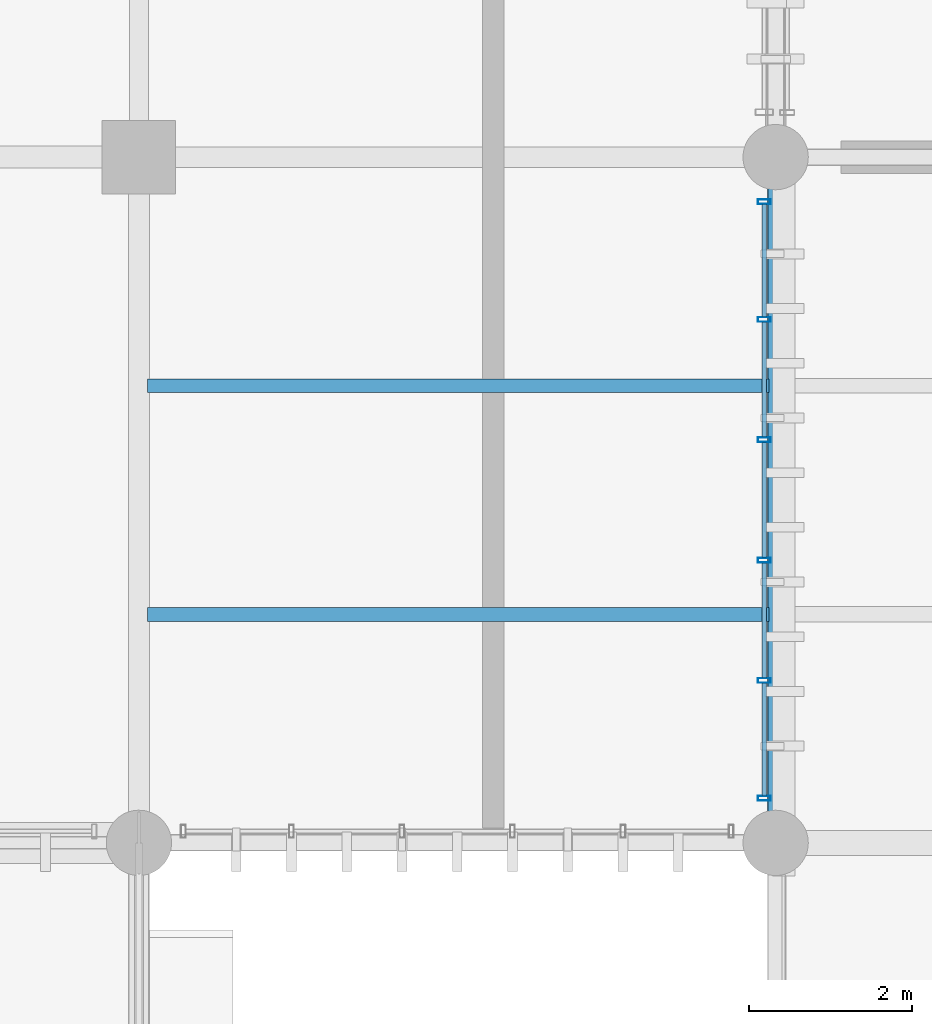
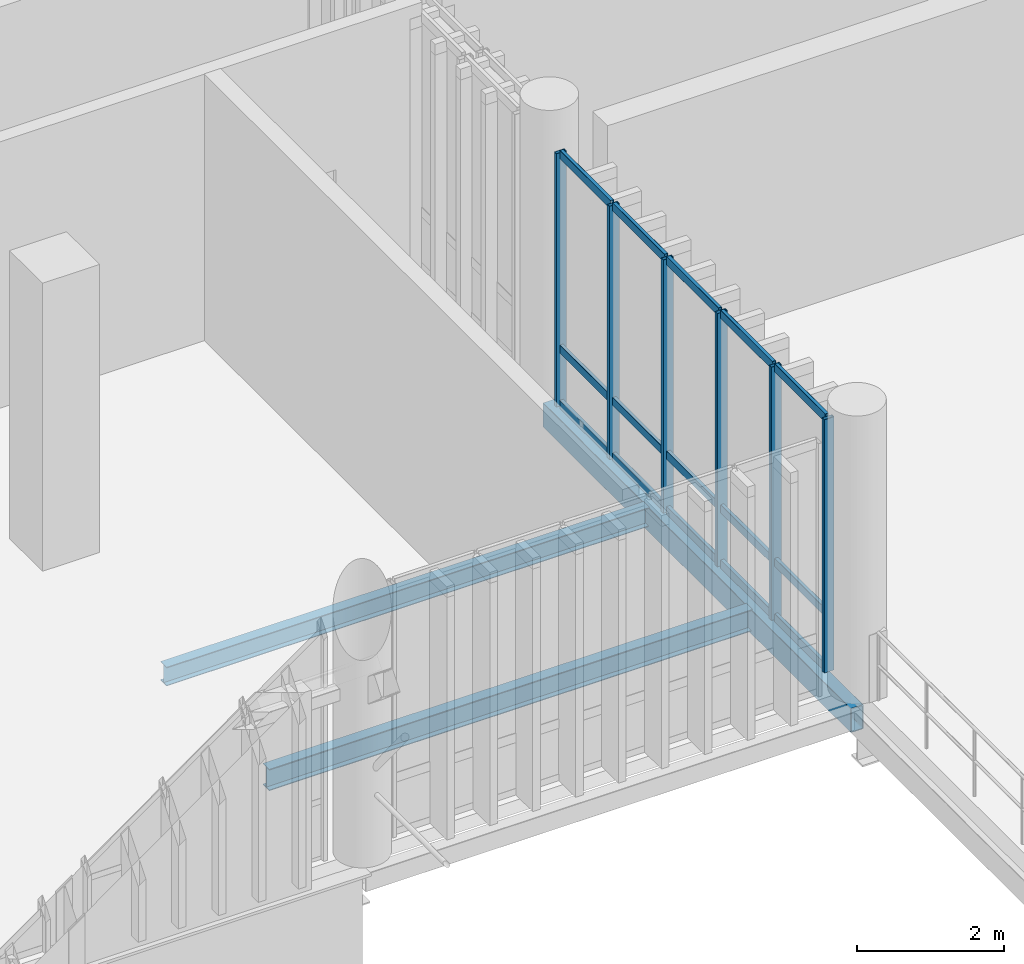
# One storey, part 24 of 109: 21 members, 3 beams, 1 element without a shape of its own.
"""IFC4 building model written with IfcOpenShell, lengths in metres."""

from ifc_helpers import new_model, si_unit, direction, frame, origin_with_axes, origin_2d_with_axis, place, context, subcontext, project, spatial, hollow_rectangle, i_section, extrude, material, material_profile, profile_set, type_object, element, aggregate, save


model = new_model("IFC4")

# Units and contexts
model_context = context("Model", 3, precision=1e-05, world=origin_with_axes(), true_north=direction((0.0, 1.0)))
body_context = subcontext(model_context, "Body", "Model", "MODEL_VIEW")
ifc_project = project(units=[si_unit("LENGTHUNIT", "METRE"), si_unit("AREAUNIT", "SQUARE_METRE"), si_unit("VOLUMEUNIT", "CUBIC_METRE"), si_unit("PLANEANGLEUNIT", "RADIAN"), si_unit("MASSUNIT", "GRAM", prefix="KILO"), si_unit("THERMODYNAMICTEMPERATUREUNIT", "KELVIN")], contexts=[model_context])

# Site, building, storey
site_placement = place(None, origin_with_axes())
site = spatial("IfcSite", under=ifc_project, at=site_placement, CompositionType="ELEMENT")
building_placement = place(site_placement, origin_with_axes())
building = spatial("IfcBuilding", under=site, at=building_placement, Name="Montbau Bow Law Courts", CompositionType="ELEMENT")
storey_placement = place(building_placement, frame((0.0, 0.0, 10.8), z_axis=(0.0, 0.0, 1.0), x_axis=(1.0, 0.0, 0.0)))
storey = spatial("IfcBuildingStorey", under=building, at=storey_placement, Name="L02", CompositionType="ELEMENT", Elevation=10.8)

# Beams
ifc_material_1 = material(Name="Steel CSA G40.21 Grade 350W (350 MPa)", Category="steel")
ifc_material_profile_1 = material_profile(ifc_material_1, i_section(OverallWidth=0.172, OverallDepth=0.358, WebThickness=0.0079, FlangeThickness=0.0131, at=origin_2d_with_axis()), Name="W360X57", Category="Main", Priority=0)
ifc_profile_set_1 = profile_set([ifc_material_profile_1], Name="Steel CSA G40.21 Grade 350W (350 MPa)")
beam_type_1 = type_object("IfcBeamType", Name="B-JST-03", PredefinedType="JOIST", material=ifc_profile_set_1)
beam_1_placement = place(None, frame((39.103, 33.4, 10.301), z_axis=(1.0, 0.0, 0.0), x_axis=(0.0, 1.0, 0.0)))
element("IfcBeam", 1, at=beam_1_placement, inside=storey, type_object=beam_type_1, Name="JST-L02-S0278:jst2_0278", PredefinedType="JOIST", context=body_context, shape_type="SweptSolid", body=[
    extrude(i_section(OverallWidth=0.172, OverallDepth=0.358, WebThickness=0.0079, FlangeThickness=0.0131, at=origin_2d_with_axis()), origin_with_axes(), (0.0, 0.0, 1.0), 7.617),
])
ifc_material_profile_2 = material_profile(ifc_material_1, i_section(OverallWidth=0.166, OverallDepth=0.313, WebThickness=0.0066, FlangeThickness=0.0112, at=origin_2d_with_axis()), Name="W310X45", Category="Main", Priority=0)
ifc_profile_set_2 = profile_set([ifc_material_profile_2], Name="Steel CSA G40.21 Grade 350W (350 MPa)")
beam_type_2 = type_object("IfcBeamType", Name="B-JST-04", PredefinedType="JOIST", material=ifc_profile_set_2)
beam_2_placement = place(None, frame((39.103, 36.2, 10.324), z_axis=(1.0, 0.0, 0.0), x_axis=(0.0, 1.0, 0.0)))
element("IfcBeam", 2, at=beam_2_placement, inside=storey, type_object=beam_type_2, Name="JST-L02-S0279:jst2_0279", PredefinedType="JOIST", context=body_context, shape_type="SweptSolid", body=[
    extrude(i_section(OverallWidth=0.166, OverallDepth=0.313, WebThickness=0.0066, FlangeThickness=0.0112, at=origin_2d_with_axis()), origin_with_axes(), (0.0, 0.0, 1.0), 7.617),
])
ifc_material_2 = material(Name="Steel CSA G40.21 Grade 350WT (350 MPa)", Category="steel")
ifc_material_profile_3 = material_profile(ifc_material_2, hollow_rectangle(XDim=0.203, YDim=0.406, WallThickness=0.0127, InnerFilletRadius=0.0254, OuterFilletRadius=0.0127, at=origin_2d_with_axis()), Name="HSS406X203X13", Category="Main", Priority=0)
ifc_profile_set_3 = profile_set([ifc_material_profile_3], Name="Steel CSA G40.21 Grade 350WT (350 MPa)")
beam_type_3 = type_object("IfcBeamType", Name="B-SPN-01", PredefinedType="SPANDREL", material=ifc_profile_set_3)
beam_3_placement = place(None, frame((46.8, 30.6, 10.277), z_axis=(0.0, 1.0, 0.0), x_axis=(-1.0, 0.0, 0.0)))
element("IfcBeam", 3, at=beam_3_placement, inside=storey, type_object=beam_type_3, Name="SPN-L02-S0473:bm2_0476", PredefinedType="SPANDREL", context=body_context, shape_type="SweptSolid", body=[
    extrude(hollow_rectangle(XDim=0.203, YDim=0.406, WallThickness=0.0127, InnerFilletRadius=0.0254, OuterFilletRadius=0.0127, at=origin_2d_with_axis()), origin_with_axes(), (0.0, 0.0, 1.0), 8.4),
])

# Curtain wall, members
ifc_material_3 = material(Name="Thermally Broken Extruded Aluminium AA 6063-T6", Category="aluminium")
curtain_wall_type = type_object("IfcCurtainWallType", Name="CW-TRC-01", PredefinedType="NOTDEFINED", material=ifc_material_3)
curtain_wall_placement = place(None, frame((46.66, 31.115, 10.8), z_axis=(0.0, 0.0, 1.0), x_axis=(1.0, 0.0, 0.0)))
curtain_wall = element("IfcCurtainWall", 4, at=curtain_wall_placement, inside=storey, type_object=curtain_wall_type, Name="CW-L02-047:cw_0047", PredefinedType="NOTDEFINED")
ifc_material_profile_4 = material_profile(ifc_material_3, hollow_rectangle(XDim=0.06, YDim=0.16, WallThickness=0.004, InnerFilletRadius=0.008, OuterFilletRadius=0.004, at=origin_2d_with_axis()), Name="CWM-160X60", Category="Main", Priority=0)
ifc_profile_set_4 = profile_set([ifc_material_profile_4], Name="Thermally Broken Extruded Aluminium AA 6063-T6")
member_type_1 = type_object("IfcMemberType", Name="M-MUL-03", PredefinedType="MULLION", material=ifc_profile_set_4)
member_1_placement = place(None, frame((46.66, 31.145, 10.8), z_axis=(0.0, 0.0, 1.0), x_axis=(0.0, 1.0, 0.0)))
member_1 = element("IfcMember", 5, at=member_1_placement, type_object=member_type_1, Name="CW-L02-047-M01:cw_0047_M01", PredefinedType="MULLION", context=body_context, shape_type="SweptSolid", body=[
    extrude(hollow_rectangle(XDim=0.06, YDim=0.16, WallThickness=0.004, InnerFilletRadius=0.008, OuterFilletRadius=0.004, at=origin_2d_with_axis()), origin_with_axes(), (0.0, 0.0, 1.0), 4.22),
])
member_2_placement = place(None, frame((46.66, 32.589, 10.8), z_axis=(0.0, 0.0, 1.0), x_axis=(0.0, 1.0, 0.0)))
member_2 = element("IfcMember", 6, at=member_2_placement, type_object=member_type_1, Name="CW-L02-047-M02:cw_0047_M02", PredefinedType="MULLION", context=body_context, shape_type="SweptSolid", body=[
    extrude(hollow_rectangle(XDim=0.06, YDim=0.16, WallThickness=0.004, InnerFilletRadius=0.008, OuterFilletRadius=0.004, at=origin_2d_with_axis()), origin_with_axes(), (0.0, 0.0, 1.0), 4.22),
])
member_3_placement = place(None, frame((46.66, 34.063, 10.8), z_axis=(0.0, 0.0, 1.0), x_axis=(0.0, 1.0, 0.0)))
member_3 = element("IfcMember", 7, at=member_3_placement, type_object=member_type_1, Name="CW-L02-047-M03:cw_0047_M03", PredefinedType="MULLION", context=body_context, shape_type="SweptSolid", body=[
    extrude(hollow_rectangle(XDim=0.06, YDim=0.16, WallThickness=0.004, InnerFilletRadius=0.008, OuterFilletRadius=0.004, at=origin_2d_with_axis()), origin_with_axes(), (0.0, 0.0, 1.0), 4.22),
])
member_4_placement = place(None, frame((46.66, 35.537, 10.8), z_axis=(0.0, 0.0, 1.0), x_axis=(0.0, 1.0, 0.0)))
member_4 = element("IfcMember", 8, at=member_4_placement, type_object=member_type_1, Name="CW-L02-047-M04:cw_0047_M04", PredefinedType="MULLION", context=body_context, shape_type="SweptSolid", body=[
    extrude(hollow_rectangle(XDim=0.06, YDim=0.16, WallThickness=0.004, InnerFilletRadius=0.008, OuterFilletRadius=0.004, at=origin_2d_with_axis()), origin_with_axes(), (0.0, 0.0, 1.0), 4.22),
])
member_5_placement = place(None, frame((46.66, 37.011, 10.8), z_axis=(0.0, 0.0, 1.0), x_axis=(0.0, 1.0, 0.0)))
member_5 = element("IfcMember", 9, at=member_5_placement, type_object=member_type_1, Name="CW-L02-047-M05:cw_0047_M05", PredefinedType="MULLION", context=body_context, shape_type="SweptSolid", body=[
    extrude(hollow_rectangle(XDim=0.06, YDim=0.16, WallThickness=0.004, InnerFilletRadius=0.008, OuterFilletRadius=0.004, at=origin_2d_with_axis()), origin_with_axes(), (0.0, 0.0, 1.0), 4.22),
])
member_6_placement = place(None, frame((46.66, 38.455, 10.8), z_axis=(0.0, 0.0, 1.0), x_axis=(0.0, 1.0, 0.0)))
member_6 = element("IfcMember", 10, at=member_6_placement, type_object=member_type_1, Name="CW-L02-047-M06:cw_0047_M06", PredefinedType="MULLION", context=body_context, shape_type="SweptSolid", body=[
    extrude(hollow_rectangle(XDim=0.06, YDim=0.16, WallThickness=0.004, InnerFilletRadius=0.008, OuterFilletRadius=0.004, at=origin_2d_with_axis()), origin_with_axes(), (0.0, 0.0, 1.0), 4.22),
])
ifc_material_profile_5 = material_profile(ifc_material_3, hollow_rectangle(XDim=0.055, YDim=0.14, WallThickness=0.004, InnerFilletRadius=0.008, OuterFilletRadius=0.004, at=origin_2d_with_axis()), Name="CWT-140X55", Category="Main", Priority=0)
ifc_profile_set_5 = profile_set([ifc_material_profile_5], Name="Thermally Broken Extruded Aluminium AA 6063-T6")
member_type_2 = type_object("IfcMemberType", Name="M-TRN-02", PredefinedType="USERDEFINED", material=ifc_profile_set_5)
member_7_placement = place(None, frame((46.66, 31.177, 10.828), z_axis=(0.0, 1.0, 0.0), x_axis=(-1.0, 0.0, 0.0)))
member_7 = element("IfcMember", 11, at=member_7_placement, type_object=member_type_2, Name="CW-L02-047-T01-1:cw_0047_T01_1", ObjectType="TRANSOM", PredefinedType="USERDEFINED", context=body_context, shape_type="SweptSolid", body=[
    extrude(hollow_rectangle(XDim=0.055, YDim=0.14, WallThickness=0.004, InnerFilletRadius=0.008, OuterFilletRadius=0.004, at=origin_2d_with_axis()), origin_with_axes(), (0.0, 0.0, 1.0), 1.38),
])
member_8_placement = place(None, frame((46.66, 31.177, 11.75), z_axis=(0.0, 1.0, 0.0), x_axis=(-1.0, 0.0, 0.0)))
member_8 = element("IfcMember", 12, at=member_8_placement, type_object=member_type_2, Name="CW-L02-047-T01-2:cw_0047_T01_2", ObjectType="TRANSOM", PredefinedType="USERDEFINED", context=body_context, shape_type="SweptSolid", body=[
    extrude(hollow_rectangle(XDim=0.055, YDim=0.14, WallThickness=0.004, InnerFilletRadius=0.008, OuterFilletRadius=0.004, at=origin_2d_with_axis()), origin_with_axes(), (0.0, 0.0, 1.0), 1.38),
])
member_9_placement = place(None, frame((46.66, 31.177, 14.992), z_axis=(0.0, 1.0, 0.0), x_axis=(-1.0, 0.0, 0.0)))
member_9 = element("IfcMember", 13, at=member_9_placement, type_object=member_type_2, Name="CW-L02-047-T01-3:cw_0047_T01_3", ObjectType="TRANSOM", PredefinedType="USERDEFINED", context=body_context, shape_type="SweptSolid", body=[
    extrude(hollow_rectangle(XDim=0.055, YDim=0.14, WallThickness=0.004, InnerFilletRadius=0.008, OuterFilletRadius=0.004, at=origin_2d_with_axis()), origin_with_axes(), (0.0, 0.0, 1.0), 1.38),
])
member_10_placement = place(None, frame((46.66, 32.621, 10.828), z_axis=(0.0, 1.0, 0.0), x_axis=(-1.0, 0.0, 0.0)))
member_10 = element("IfcMember", 14, at=member_10_placement, type_object=member_type_2, Name="CW-L02-047-T02-1:cw_0047_T02_1", ObjectType="TRANSOM", PredefinedType="USERDEFINED", context=body_context, shape_type="SweptSolid", body=[
    extrude(hollow_rectangle(XDim=0.055, YDim=0.14, WallThickness=0.004, InnerFilletRadius=0.008, OuterFilletRadius=0.004, at=origin_2d_with_axis()), origin_with_axes(), (0.0, 0.0, 1.0), 1.41),
])
member_11_placement = place(None, frame((46.66, 32.621, 11.75), z_axis=(0.0, 1.0, 0.0), x_axis=(-1.0, 0.0, 0.0)))
member_11 = element("IfcMember", 15, at=member_11_placement, type_object=member_type_2, Name="CW-L02-047-T02-2:cw_0047_T02_2", ObjectType="TRANSOM", PredefinedType="USERDEFINED", context=body_context, shape_type="SweptSolid", body=[
    extrude(hollow_rectangle(XDim=0.055, YDim=0.14, WallThickness=0.004, InnerFilletRadius=0.008, OuterFilletRadius=0.004, at=origin_2d_with_axis()), origin_with_axes(), (0.0, 0.0, 1.0), 1.41),
])
member_12_placement = place(None, frame((46.66, 32.621, 14.992), z_axis=(0.0, 1.0, 0.0), x_axis=(-1.0, 0.0, 0.0)))
member_12 = element("IfcMember", 16, at=member_12_placement, type_object=member_type_2, Name="CW-L02-047-T02-3:cw_0047_T02_3", ObjectType="TRANSOM", PredefinedType="USERDEFINED", context=body_context, shape_type="SweptSolid", body=[
    extrude(hollow_rectangle(XDim=0.055, YDim=0.14, WallThickness=0.004, InnerFilletRadius=0.008, OuterFilletRadius=0.004, at=origin_2d_with_axis()), origin_with_axes(), (0.0, 0.0, 1.0), 1.41),
])
member_13_placement = place(None, frame((46.66, 34.095, 10.828), z_axis=(0.0, 1.0, 0.0), x_axis=(-1.0, 0.0, 0.0)))
member_13 = element("IfcMember", 17, at=member_13_placement, type_object=member_type_2, Name="CW-L02-047-T03-1:cw_0047_T03_1", ObjectType="TRANSOM", PredefinedType="USERDEFINED", context=body_context, shape_type="SweptSolid", body=[
    extrude(hollow_rectangle(XDim=0.055, YDim=0.14, WallThickness=0.004, InnerFilletRadius=0.008, OuterFilletRadius=0.004, at=origin_2d_with_axis()), origin_with_axes(), (0.0, 0.0, 1.0), 1.41),
])
member_14_placement = place(None, frame((46.66, 34.095, 11.75), z_axis=(0.0, 1.0, 0.0), x_axis=(-1.0, 0.0, 0.0)))
member_14 = element("IfcMember", 18, at=member_14_placement, type_object=member_type_2, Name="CW-L02-047-T03-2:cw_0047_T03_2", ObjectType="TRANSOM", PredefinedType="USERDEFINED", context=body_context, shape_type="SweptSolid", body=[
    extrude(hollow_rectangle(XDim=0.055, YDim=0.14, WallThickness=0.004, InnerFilletRadius=0.008, OuterFilletRadius=0.004, at=origin_2d_with_axis()), origin_with_axes(), (0.0, 0.0, 1.0), 1.41),
])
member_15_placement = place(None, frame((46.66, 34.095, 14.992), z_axis=(0.0, 1.0, 0.0), x_axis=(-1.0, 0.0, 0.0)))
member_15 = element("IfcMember", 19, at=member_15_placement, type_object=member_type_2, Name="CW-L02-047-T03-3:cw_0047_T03_3", ObjectType="TRANSOM", PredefinedType="USERDEFINED", context=body_context, shape_type="SweptSolid", body=[
    extrude(hollow_rectangle(XDim=0.055, YDim=0.14, WallThickness=0.004, InnerFilletRadius=0.008, OuterFilletRadius=0.004, at=origin_2d_with_axis()), origin_with_axes(), (0.0, 0.0, 1.0), 1.41),
])
member_16_placement = place(None, frame((46.66, 35.569, 10.828), z_axis=(0.0, 1.0, 0.0), x_axis=(-1.0, 0.0, 0.0)))
member_16 = element("IfcMember", 20, at=member_16_placement, type_object=member_type_2, Name="CW-L02-047-T04-1:cw_0047_T04_1", ObjectType="TRANSOM", PredefinedType="USERDEFINED", context=body_context, shape_type="SweptSolid", body=[
    extrude(hollow_rectangle(XDim=0.055, YDim=0.14, WallThickness=0.004, InnerFilletRadius=0.008, OuterFilletRadius=0.004, at=origin_2d_with_axis()), origin_with_axes(), (0.0, 0.0, 1.0), 1.41),
])
member_17_placement = place(None, frame((46.66, 35.569, 11.75), z_axis=(0.0, 1.0, 0.0), x_axis=(-1.0, 0.0, 0.0)))
member_17 = element("IfcMember", 21, at=member_17_placement, type_object=member_type_2, Name="CW-L02-047-T04-2:cw_0047_T04_2", ObjectType="TRANSOM", PredefinedType="USERDEFINED", context=body_context, shape_type="SweptSolid", body=[
    extrude(hollow_rectangle(XDim=0.055, YDim=0.14, WallThickness=0.004, InnerFilletRadius=0.008, OuterFilletRadius=0.004, at=origin_2d_with_axis()), origin_with_axes(), (0.0, 0.0, 1.0), 1.41),
])
member_18_placement = place(None, frame((46.66, 35.569, 14.992), z_axis=(0.0, 1.0, 0.0), x_axis=(-1.0, 0.0, 0.0)))
member_18 = element("IfcMember", 22, at=member_18_placement, type_object=member_type_2, Name="CW-L02-047-T04-3:cw_0047_T04_3", ObjectType="TRANSOM", PredefinedType="USERDEFINED", context=body_context, shape_type="SweptSolid", body=[
    extrude(hollow_rectangle(XDim=0.055, YDim=0.14, WallThickness=0.004, InnerFilletRadius=0.008, OuterFilletRadius=0.004, at=origin_2d_with_axis()), origin_with_axes(), (0.0, 0.0, 1.0), 1.41),
])
member_19_placement = place(None, frame((46.66, 37.043, 10.828), z_axis=(0.0, 1.0, 0.0), x_axis=(-1.0, 0.0, 0.0)))
member_19 = element("IfcMember", 23, at=member_19_placement, type_object=member_type_2, Name="CW-L02-047-T05-1:cw_0047_T05_1", ObjectType="TRANSOM", PredefinedType="USERDEFINED", context=body_context, shape_type="SweptSolid", body=[
    extrude(hollow_rectangle(XDim=0.055, YDim=0.14, WallThickness=0.004, InnerFilletRadius=0.008, OuterFilletRadius=0.004, at=origin_2d_with_axis()), origin_with_axes(), (0.0, 0.0, 1.0), 1.38),
])
member_20_placement = place(None, frame((46.66, 37.043, 11.75), z_axis=(0.0, 1.0, 0.0), x_axis=(-1.0, 0.0, 0.0)))
member_20 = element("IfcMember", 24, at=member_20_placement, type_object=member_type_2, Name="CW-L02-047-T05-2:cw_0047_T05_2", ObjectType="TRANSOM", PredefinedType="USERDEFINED", context=body_context, shape_type="SweptSolid", body=[
    extrude(hollow_rectangle(XDim=0.055, YDim=0.14, WallThickness=0.004, InnerFilletRadius=0.008, OuterFilletRadius=0.004, at=origin_2d_with_axis()), origin_with_axes(), (0.0, 0.0, 1.0), 1.38),
])
member_21_placement = place(None, frame((46.66, 37.043, 14.992), z_axis=(0.0, 1.0, 0.0), x_axis=(-1.0, 0.0, 0.0)))
member_21 = element("IfcMember", 25, at=member_21_placement, type_object=member_type_2, Name="CW-L02-047-T05-3:cw_0047_T05_3", ObjectType="TRANSOM", PredefinedType="USERDEFINED", context=body_context, shape_type="SweptSolid", body=[
    extrude(hollow_rectangle(XDim=0.055, YDim=0.14, WallThickness=0.004, InnerFilletRadius=0.008, OuterFilletRadius=0.004, at=origin_2d_with_axis()), origin_with_axes(), (0.0, 0.0, 1.0), 1.38),
])
aggregate(curtain_wall, [member_1, member_2, member_3, member_4, member_5, member_6, member_7, member_8, member_9, member_10, member_11, member_12, member_13, member_14, member_15, member_16, member_17, member_18, member_19, member_20, member_21])

save(model, "model.ifc")
